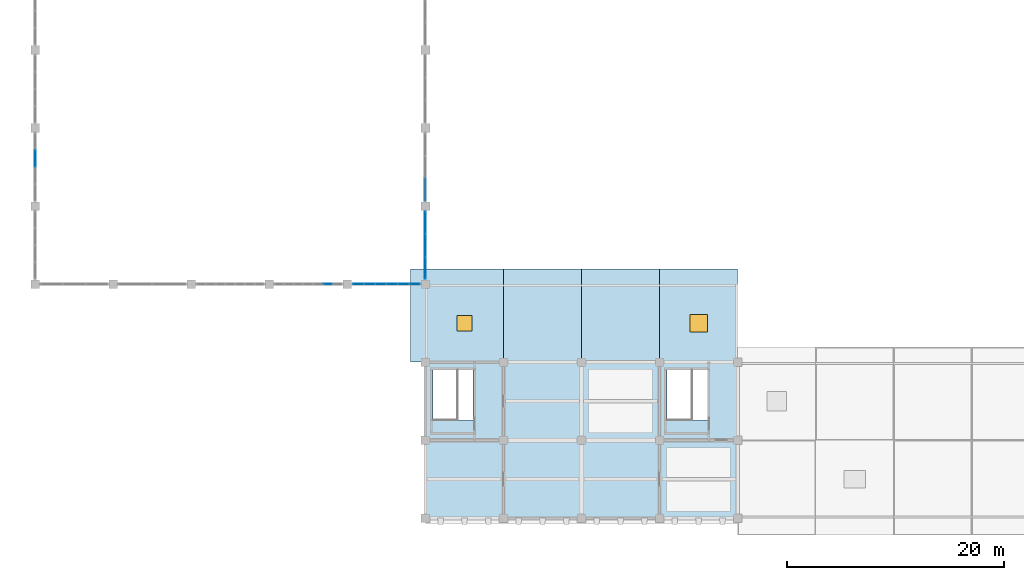
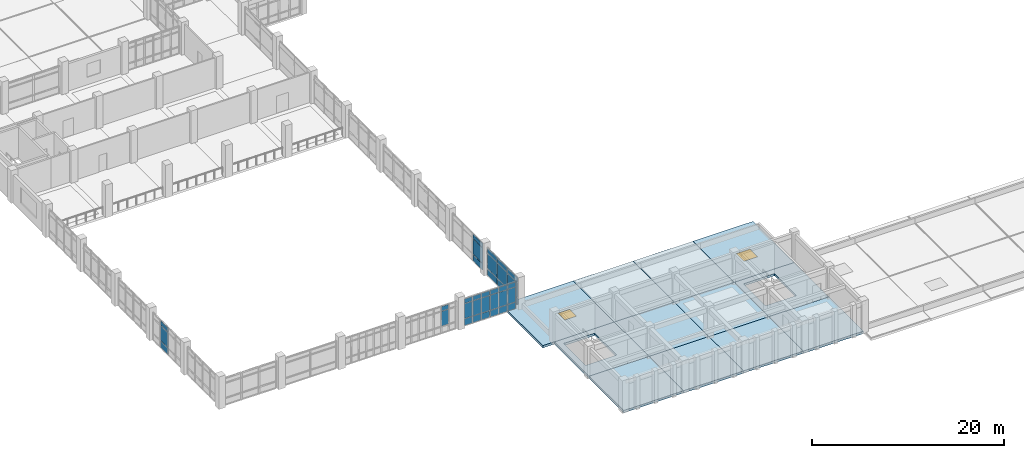
# One storey, part 32 of 62: 35 plates, 12 slabs, 2 windows, 2 openings, 5 elements without a shape of their own.
"""IFC4 building model written with IfcOpenShell, lengths in metres."""

from ifc_helpers import new_model, si_unit, direction, frame, origin, origin_2d, place, context, subcontext, project, spatial, polyline, rectangle, outline, extrude, material, layer, layer_set, type_object, element, fill, aggregate, save


model = new_model("IFC4")

# Units and contexts
model_context = context("Model", 3, precision=1e-05, world=origin(), true_north=direction((0.0, 1.0)))
body_context = subcontext(model_context, "Body", "Model", "MODEL_VIEW")
ifc_project = project(units=[si_unit("LENGTHUNIT", "METRE"), si_unit("AREAUNIT", "SQUARE_METRE"), si_unit("VOLUMEUNIT", "CUBIC_METRE"), si_unit("PLANEANGLEUNIT", "RADIAN"), si_unit("MASSUNIT", "GRAM", prefix="KILO")], contexts=[model_context])

# Site, building, storey
site_placement = place(None, origin())
site = spatial("IfcSite", under=ifc_project, at=site_placement, CompositionType="ELEMENT")
building_placement = place(site_placement, origin())
building = spatial("IfcBuilding", under=site, at=building_placement, Name="Kavelor Marine Aquarium", CompositionType="ELEMENT")
storey_placement = place(building_placement, frame((0.0, 0.0, 13.5)))
storey = spatial("IfcBuildingStorey", under=building, at=storey_placement, Name="L03", CompositionType="ELEMENT", Elevation=13.5)

# Curtain wall, plates
ifc_material_1 = material(Name="Thermally Broken Aluminium and Low-E Glass", Category="aluminium")
ifc_layer_1 = layer(ifc_material_1, 0.156005859375)
ifc_layer_set_1 = layer_set([ifc_layer_1], Name="CW-SYS2")
curtain_wall_type_1 = type_object("IfcCurtainWallType", Name="CW-SYS2", PredefinedType="USERDEFINED", material=ifc_layer_set_1)
curtain_wall_1_placement = place(storey_placement, origin())
curtain_wall_1 = element("IfcCurtainWall", 1, at=curtain_wall_1_placement, inside=storey, type_object=curtain_wall_type_1, Name="cw:x:L03:03_03", ObjectType="Curtain Wall", PredefinedType="USERDEFINED")
ifc_material_2 = material(Name="Solar-Control Double Low-E Glazing", Category="glass")
ifc_layer_2 = layer(ifc_material_2, 0.052001953125)
ifc_layer_set_2 = layer_set([ifc_layer_2], Name="CWP-14")
plate_type_1 = type_object("IfcPlateType", Name="CWP-14", PredefinedType="CURTAIN_PANEL", material=ifc_layer_set_2)
plate_1_placement = place(storey_placement, frame((30.202880859375, 24.39990234375, 0.9326171875), z_axis=(0.0, 0.0, 1.0), x_axis=(-1.0, 0.0, 0.0)))
plate_1 = element("IfcPlate", 2, at=plate_1_placement, type_object=plate_type_1, Name="CW02 panel 2.2", PredefinedType="CURTAIN_PANEL", context=body_context, shape_type="SweptSolid", body=[
    extrude(rectangle(XDim=0.83642578125, YDim=0.052001953125, at=origin_2d()), origin(), (0.0, 0.0, 1.0), 1.864990234375),
])
plate_2_placement = place(storey_placement, frame((30.202880859375, 24.39990234375, 2.8623046875), z_axis=(0.0, 0.0, 1.0), x_axis=(-1.0, 0.0, 0.0)))
plate_2 = element("IfcPlate", 3, at=plate_2_placement, type_object=plate_type_1, Name="CW02 panel 2.3", PredefinedType="CURTAIN_PANEL", context=body_context, shape_type="SweptSolid", body=[
    extrude(rectangle(XDim=0.83642578125, YDim=0.052001953125, at=origin_2d()), origin(), (0.0, 0.0, 1.0), 0.552490234375),
])
aggregate(curtain_wall_1, [plate_1, plate_2])

ifc_material_3 = material(Name="Thermally Broken Aluminium and Low-E Glass", Category="aluminium")
ifc_layer_3 = layer(ifc_material_3, 0.172119140625)
ifc_layer_set_3 = layer_set([ifc_layer_3], Name="CW-SYS4")
curtain_wall_type_2 = type_object("IfcCurtainWallType", Name="CW-SYS4", PredefinedType="USERDEFINED", material=ifc_layer_set_3)
curtain_wall_2_placement = place(storey_placement, origin())
curtain_wall_2 = element("IfcCurtainWall", 4, at=curtain_wall_2_placement, inside=storey, type_object=curtain_wall_type_2, Name="cw:x:L03:04_03", ObjectType="Curtain Wall", PredefinedType="USERDEFINED")
ifc_material_4 = material(Name="Solar-Control Double Low-E Glazing", Category="glass")
ifc_layer_4 = layer(ifc_material_4, 0.055908203125)
ifc_layer_set_4 = layer_set([ifc_layer_4], Name="CWP-16")
plate_type_2 = type_object("IfcPlateType", Name="CWP-16", PredefinedType="CURTAIN_PANEL", material=ifc_layer_set_4)
plate_3_placement = place(storey_placement, frame((38.21044921875, 24.39990234375, 0.06005859375), z_axis=(0.0, 0.0, 1.0), x_axis=(-1.0, 0.0, 0.0)))
plate_3 = element("IfcPlate", 5, at=plate_3_placement, type_object=plate_type_2, Name="CW04 panel 1.1", PredefinedType="CURTAIN_PANEL", context=body_context, shape_type="SweptSolid", body=[
    extrude(rectangle(XDim=0.939208984375, YDim=0.055908203125, at=origin_2d()), origin(), (0.0, 0.0, 1.0), 0.81005859375),
])
plate_4_placement = place(storey_placement, frame((38.21044921875, 24.39990234375, 0.929931640625), z_axis=(0.0, 0.0, 1.0), x_axis=(-1.0, 0.0, 0.0)))
plate_4 = element("IfcPlate", 6, at=plate_4_placement, type_object=plate_type_2, Name="CW04 panel 1.2", PredefinedType="CURTAIN_PANEL", context=body_context, shape_type="SweptSolid", body=[
    extrude(rectangle(XDim=0.939208984375, YDim=0.055908203125, at=origin_2d()), origin(), (0.0, 0.0, 1.0), 1.8701171875),
])
plate_5_placement = place(storey_placement, frame((38.21044921875, 24.39990234375, 2.85986328125), z_axis=(0.0, 0.0, 1.0), x_axis=(-1.0, 0.0, 0.0)))
plate_5 = element("IfcPlate", 7, at=plate_5_placement, type_object=plate_type_2, Name="CW04 panel 1.3", PredefinedType="CURTAIN_PANEL", context=body_context, shape_type="SweptSolid", body=[
    extrude(rectangle(XDim=0.939208984375, YDim=0.055908203125, at=origin_2d()), origin(), (0.0, 0.0, 1.0), 0.56005859375),
])
plate_6_placement = place(storey_placement, frame((37.177490234375, 24.39990234375, 0.06005859375), z_axis=(0.0, 0.0, 1.0), x_axis=(-1.0, 0.0, 0.0)))
plate_6 = element("IfcPlate", 8, at=plate_6_placement, type_object=plate_type_2, Name="CW04 panel 2.1", PredefinedType="CURTAIN_PANEL", context=body_context, shape_type="SweptSolid", body=[
    extrude(rectangle(XDim=0.9765625, YDim=0.055908203125, at=origin_2d()), origin(), (0.0, 0.0, 1.0), 0.81005859375),
])
plate_7_placement = place(storey_placement, frame((37.177490234375, 24.39990234375, 0.929931640625), z_axis=(0.0, 0.0, 1.0), x_axis=(-1.0, 0.0, 0.0)))
plate_7 = element("IfcPlate", 9, at=plate_7_placement, type_object=plate_type_2, Name="CW04 panel 2.2", PredefinedType="CURTAIN_PANEL", context=body_context, shape_type="SweptSolid", body=[
    extrude(rectangle(XDim=0.9765625, YDim=0.055908203125, at=origin_2d()), origin(), (0.0, 0.0, 1.0), 1.8701171875),
])
plate_8_placement = place(storey_placement, frame((37.177490234375, 24.39990234375, 2.85986328125), z_axis=(0.0, 0.0, 1.0), x_axis=(-1.0, 0.0, 0.0)))
plate_8 = element("IfcPlate", 10, at=plate_8_placement, type_object=plate_type_2, Name="CW04 panel 2.3", PredefinedType="CURTAIN_PANEL", context=body_context, shape_type="SweptSolid", body=[
    extrude(rectangle(XDim=0.9765625, YDim=0.055908203125, at=origin_2d()), origin(), (0.0, 0.0, 1.0), 0.56005859375),
])
plate_9_placement = place(storey_placement, frame((36.125732421875, 24.39990234375, 0.06005859375), z_axis=(0.0, 0.0, 1.0), x_axis=(-1.0, 0.0, 0.0)))
plate_9 = element("IfcPlate", 11, at=plate_9_placement, type_object=plate_type_2, Name="CW04 panel 3.1", PredefinedType="CURTAIN_PANEL", context=body_context, shape_type="SweptSolid", body=[
    extrude(rectangle(XDim=0.9765625, YDim=0.055908203125, at=origin_2d()), origin(), (0.0, 0.0, 1.0), 0.81005859375),
])
plate_10_placement = place(storey_placement, frame((36.125732421875, 24.39990234375, 0.929931640625), z_axis=(0.0, 0.0, 1.0), x_axis=(-1.0, 0.0, 0.0)))
plate_10 = element("IfcPlate", 12, at=plate_10_placement, type_object=plate_type_2, Name="CW04 panel 3.2", PredefinedType="CURTAIN_PANEL", context=body_context, shape_type="SweptSolid", body=[
    extrude(rectangle(XDim=0.9765625, YDim=0.055908203125, at=origin_2d()), origin(), (0.0, 0.0, 1.0), 1.8701171875),
])
plate_11_placement = place(storey_placement, frame((36.125732421875, 24.39990234375, 2.85986328125), z_axis=(0.0, 0.0, 1.0), x_axis=(-1.0, 0.0, 0.0)))
plate_11 = element("IfcPlate", 13, at=plate_11_placement, type_object=plate_type_2, Name="CW04 panel 3.3", PredefinedType="CURTAIN_PANEL", context=body_context, shape_type="SweptSolid", body=[
    extrude(rectangle(XDim=0.9765625, YDim=0.055908203125, at=origin_2d()), origin(), (0.0, 0.0, 1.0), 0.56005859375),
])
plate_12_placement = place(storey_placement, frame((35.07421875, 24.39990234375, 0.06005859375), z_axis=(0.0, 0.0, 1.0), x_axis=(-1.0, 0.0, 0.0)))
plate_12 = element("IfcPlate", 14, at=plate_12_placement, type_object=plate_type_2, Name="CW04 panel 4.1", PredefinedType="CURTAIN_PANEL", context=body_context, shape_type="SweptSolid", body=[
    extrude(rectangle(XDim=0.9765625, YDim=0.055908203125, at=origin_2d()), origin(), (0.0, 0.0, 1.0), 0.81005859375),
])
plate_13_placement = place(storey_placement, frame((35.07421875, 24.39990234375, 0.929931640625), z_axis=(0.0, 0.0, 1.0), x_axis=(-1.0, 0.0, 0.0)))
plate_13 = element("IfcPlate", 15, at=plate_13_placement, type_object=plate_type_2, Name="CW04 panel 4.2", PredefinedType="CURTAIN_PANEL", context=body_context, shape_type="SweptSolid", body=[
    extrude(rectangle(XDim=0.9765625, YDim=0.055908203125, at=origin_2d()), origin(), (0.0, 0.0, 1.0), 1.8701171875),
])
plate_14_placement = place(storey_placement, frame((35.07421875, 24.39990234375, 2.85986328125), z_axis=(0.0, 0.0, 1.0), x_axis=(-1.0, 0.0, 0.0)))
plate_14 = element("IfcPlate", 16, at=plate_14_placement, type_object=plate_type_2, Name="CW04 panel 4.3", PredefinedType="CURTAIN_PANEL", context=body_context, shape_type="SweptSolid", body=[
    extrude(rectangle(XDim=0.9765625, YDim=0.055908203125, at=origin_2d()), origin(), (0.0, 0.0, 1.0), 0.56005859375),
])
plate_15_placement = place(storey_placement, frame((34.0224609375, 24.39990234375, 0.06005859375), z_axis=(0.0, 0.0, 1.0), x_axis=(-1.0, 0.0, 0.0)))
plate_15 = element("IfcPlate", 17, at=plate_15_placement, type_object=plate_type_2, Name="CW04 panel 5.1", PredefinedType="CURTAIN_PANEL", context=body_context, shape_type="SweptSolid", body=[
    extrude(rectangle(XDim=0.9765625, YDim=0.055908203125, at=origin_2d()), origin(), (0.0, 0.0, 1.0), 0.81005859375),
])
plate_16_placement = place(storey_placement, frame((34.0224609375, 24.39990234375, 0.929931640625), z_axis=(0.0, 0.0, 1.0), x_axis=(-1.0, 0.0, 0.0)))
plate_16 = element("IfcPlate", 18, at=plate_16_placement, type_object=plate_type_2, Name="CW04 panel 5.2", PredefinedType="CURTAIN_PANEL", context=body_context, shape_type="SweptSolid", body=[
    extrude(rectangle(XDim=0.9765625, YDim=0.055908203125, at=origin_2d()), origin(), (0.0, 0.0, 1.0), 1.8701171875),
])
plate_17_placement = place(storey_placement, frame((34.0224609375, 24.39990234375, 2.85986328125), z_axis=(0.0, 0.0, 1.0), x_axis=(-1.0, 0.0, 0.0)))
plate_17 = element("IfcPlate", 19, at=plate_17_placement, type_object=plate_type_2, Name="CW04 panel 5.3", PredefinedType="CURTAIN_PANEL", context=body_context, shape_type="SweptSolid", body=[
    extrude(rectangle(XDim=0.9765625, YDim=0.055908203125, at=origin_2d()), origin(), (0.0, 0.0, 1.0), 0.56005859375),
])
plate_18_placement = place(storey_placement, frame((32.989501953125, 24.39990234375, 0.06005859375), z_axis=(0.0, 0.0, 1.0), x_axis=(-1.0, 0.0, 0.0)))
plate_18 = element("IfcPlate", 20, at=plate_18_placement, type_object=plate_type_2, Name="CW04 panel 6.1", PredefinedType="CURTAIN_PANEL", context=body_context, shape_type="SweptSolid", body=[
    extrude(rectangle(XDim=0.939208984375, YDim=0.055908203125, at=origin_2d()), origin(), (0.0, 0.0, 1.0), 0.81005859375),
])
plate_19_placement = place(storey_placement, frame((32.989501953125, 24.39990234375, 0.929931640625), z_axis=(0.0, 0.0, 1.0), x_axis=(-1.0, 0.0, 0.0)))
plate_19 = element("IfcPlate", 21, at=plate_19_placement, type_object=plate_type_2, Name="CW04 panel 6.2", PredefinedType="CURTAIN_PANEL", context=body_context, shape_type="SweptSolid", body=[
    extrude(rectangle(XDim=0.939208984375, YDim=0.055908203125, at=origin_2d()), origin(), (0.0, 0.0, 1.0), 1.8701171875),
])
plate_20_placement = place(storey_placement, frame((32.989501953125, 24.39990234375, 2.85986328125), z_axis=(0.0, 0.0, 1.0), x_axis=(-1.0, 0.0, 0.0)))
plate_20 = element("IfcPlate", 22, at=plate_20_placement, type_object=plate_type_2, Name="CW04 panel 6.3", PredefinedType="CURTAIN_PANEL", context=body_context, shape_type="SweptSolid", body=[
    extrude(rectangle(XDim=0.939208984375, YDim=0.055908203125, at=origin_2d()), origin(), (0.0, 0.0, 1.0), 0.56005859375),
])
aggregate(curtain_wall_2, [plate_3, plate_4, plate_5, plate_6, plate_7, plate_8, plate_9, plate_10, plate_11, plate_12, plate_13, plate_14, plate_15, plate_16, plate_17, plate_18, plate_19, plate_20])

ifc_material_5 = material(Name="Thermally Broken Aluminium and Low-E Glass", Category="aluminium")
ifc_layer_5 = layer(ifc_material_5, 0.236083984375)
ifc_layer_set_5 = layer_set([ifc_layer_5], Name="CW-SYS12")
curtain_wall_type_3 = type_object("IfcCurtainWallType", Name="CW-SYS12", PredefinedType="USERDEFINED", material=ifc_layer_set_5)
curtain_wall_3_placement = place(storey_placement, origin())
curtain_wall_3 = element("IfcCurtainWall", 23, at=curtain_wall_3_placement, inside=storey, type_object=curtain_wall_type_3, Name="cw:y:L03:00_04", ObjectType="Curtain Wall", PredefinedType="USERDEFINED")
ifc_material_6 = material(Name="Solar-Control Double Low-E Glazing", Category="glass")
ifc_layer_6 = layer(ifc_material_6, 0.072021484375)
ifc_layer_set_6 = layer_set([ifc_layer_6], Name="CWP-24")
plate_type_3 = type_object("IfcPlateType", Name="CWP-24", PredefinedType="CURTAIN_PANEL", material=ifc_layer_set_6)
plate_21_placement = place(storey_placement, frame((3.199951171875, 35.98876953125, 0.074951171875), z_axis=(0.0, 0.0, 1.0), x_axis=(0.0, -1.0, 0.0)))
plate_21 = element("IfcPlate", 24, at=plate_21_placement, type_object=plate_type_3, Name="CW12 panel 2.1", PredefinedType="CURTAIN_PANEL", context=body_context, shape_type="SweptSolid", body=[
    extrude(rectangle(XDim=1.517578125, YDim=0.072021484375, at=origin_2d()), origin(), (0.0, 0.0, 1.0), 0.78759765625),
])
plate_22_placement = place(storey_placement, frame((3.199951171875, 35.98876953125, 0.9375), z_axis=(0.0, 0.0, 1.0), x_axis=(0.0, -1.0, 0.0)))
plate_22 = element("IfcPlate", 25, at=plate_22_placement, type_object=plate_type_3, Name="CW12 panel 2.2", PredefinedType="CURTAIN_PANEL", context=body_context, shape_type="SweptSolid", body=[
    extrude(rectangle(XDim=1.517578125, YDim=0.072021484375, at=origin_2d()), origin(), (0.0, 0.0, 1.0), 1.905029296875),
])
plate_23_placement = place(storey_placement, frame((3.199951171875, 35.98876953125, 2.91748046875), z_axis=(0.0, 0.0, 1.0), x_axis=(0.0, -1.0, 0.0)))
plate_23 = element("IfcPlate", 26, at=plate_23_placement, type_object=plate_type_3, Name="CW12 panel 2.3", PredefinedType="CURTAIN_PANEL", context=body_context, shape_type="SweptSolid", body=[
    extrude(rectangle(XDim=1.517578125, YDim=0.072021484375, at=origin_2d()), origin(), (0.0, 0.0, 1.0), 0.53759765625),
])
aggregate(curtain_wall_3, [plate_21, plate_22, plate_23])

ifc_material_7 = material(Name="Thermally Broken Aluminium and Low-E Glass", Category="aluminium")
ifc_layer_7 = layer(ifc_material_7, 0.27587890625)
ifc_layer_set_7 = layer_set([ifc_layer_7], Name="CW-SYS17")
curtain_wall_type_4 = type_object("IfcCurtainWallType", Name="CW-SYS17", PredefinedType="USERDEFINED", material=ifc_layer_set_7)
curtain_wall_4_placement = place(storey_placement, origin())
curtain_wall_4 = element("IfcCurtainWall", 27, at=curtain_wall_4_placement, inside=storey, type_object=curtain_wall_type_4, Name="cw:y:L03:05_03", ObjectType="Curtain Wall", PredefinedType="USERDEFINED")
ifc_material_8 = material(Name="Solar-Control Double Low-E Glazing", Category="glass")
ifc_layer_8 = layer(ifc_material_8, 0.08203125)
ifc_layer_set_8 = layer_set([ifc_layer_8], Name="CWP-29")
plate_type_4 = type_object("IfcPlateType", Name="CWP-29", PredefinedType="CURTAIN_PANEL", material=ifc_layer_set_8)
plate_24_placement = place(storey_placement, frame((39.199951171875, 25.912841796875, 0.06005859375), z_axis=(0.0, 0.0, 1.0), x_axis=(0.0, 1.0, 0.0)))
plate_24 = element("IfcPlate", 28, at=plate_24_placement, type_object=plate_type_4, Name="CW17 panel 1.1", PredefinedType="CURTAIN_PANEL", context=body_context, shape_type="SweptSolid", body=[
    extrude(rectangle(XDim=2.005859375, YDim=0.08203125, at=origin_2d()), origin(), (0.0, 0.0, 1.0), 0.81005859375),
])
plate_25_placement = place(storey_placement, frame((39.199951171875, 25.912841796875, 0.929931640625), z_axis=(0.0, 0.0, 1.0), x_axis=(0.0, 1.0, 0.0)))
plate_25 = element("IfcPlate", 29, at=plate_25_placement, type_object=plate_type_4, Name="CW17 panel 1.2", PredefinedType="CURTAIN_PANEL", context=body_context, shape_type="SweptSolid", body=[
    extrude(rectangle(XDim=2.005859375, YDim=0.08203125, at=origin_2d()), origin(), (0.0, 0.0, 1.0), 1.919921875),
])
plate_26_placement = place(storey_placement, frame((39.199951171875, 25.912841796875, 2.909912109375), z_axis=(0.0, 0.0, 1.0), x_axis=(0.0, 1.0, 0.0)))
plate_26 = element("IfcPlate", 30, at=plate_26_placement, type_object=plate_type_4, Name="CW17 panel 1.3", PredefinedType="CURTAIN_PANEL", context=body_context, shape_type="SweptSolid", body=[
    extrude(rectangle(XDim=2.005859375, YDim=0.08203125, at=origin_2d()), origin(), (0.0, 0.0, 1.0), 0.56005859375),
])
plate_27_placement = place(storey_placement, frame((39.199951171875, 28.0, 0.06005859375), z_axis=(0.0, 0.0, 1.0), x_axis=(0.0, 1.0, 0.0)))
plate_27 = element("IfcPlate", 31, at=plate_27_placement, type_object=plate_type_4, Name="CW17 panel 2.1", PredefinedType="CURTAIN_PANEL", context=body_context, shape_type="SweptSolid", body=[
    extrude(rectangle(XDim=2.038330078125, YDim=0.08203125, at=origin_2d()), origin(), (0.0, 0.0, 1.0), 0.81005859375),
])
plate_28_placement = place(storey_placement, frame((39.199951171875, 28.0, 0.929931640625), z_axis=(0.0, 0.0, 1.0), x_axis=(0.0, 1.0, 0.0)))
plate_28 = element("IfcPlate", 32, at=plate_28_placement, type_object=plate_type_4, Name="CW17 panel 2.2", PredefinedType="CURTAIN_PANEL", context=body_context, shape_type="SweptSolid", body=[
    extrude(rectangle(XDim=2.038330078125, YDim=0.08203125, at=origin_2d()), origin(), (0.0, 0.0, 1.0), 1.919921875),
])
plate_29_placement = place(storey_placement, frame((39.199951171875, 28.0, 2.909912109375), z_axis=(0.0, 0.0, 1.0), x_axis=(0.0, 1.0, 0.0)))
plate_29 = element("IfcPlate", 33, at=plate_29_placement, type_object=plate_type_4, Name="CW17 panel 2.3", PredefinedType="CURTAIN_PANEL", context=body_context, shape_type="SweptSolid", body=[
    extrude(rectangle(XDim=2.038330078125, YDim=0.08203125, at=origin_2d()), origin(), (0.0, 0.0, 1.0), 0.56005859375),
])
plate_30_placement = place(storey_placement, frame((39.199951171875, 30.087158203125, 0.06005859375), z_axis=(0.0, 0.0, 1.0), x_axis=(0.0, 1.0, 0.0)))
plate_30 = element("IfcPlate", 34, at=plate_30_placement, type_object=plate_type_4, Name="CW17 panel 3.1", PredefinedType="CURTAIN_PANEL", context=body_context, shape_type="SweptSolid", body=[
    extrude(rectangle(XDim=2.005859375, YDim=0.08203125, at=origin_2d()), origin(), (0.0, 0.0, 1.0), 0.81005859375),
])
plate_31_placement = place(storey_placement, frame((39.199951171875, 30.087158203125, 0.929931640625), z_axis=(0.0, 0.0, 1.0), x_axis=(0.0, 1.0, 0.0)))
plate_31 = element("IfcPlate", 35, at=plate_31_placement, type_object=plate_type_4, Name="CW17 panel 3.2", PredefinedType="CURTAIN_PANEL", context=body_context, shape_type="SweptSolid", body=[
    extrude(rectangle(XDim=2.005859375, YDim=0.08203125, at=origin_2d()), origin(), (0.0, 0.0, 1.0), 1.919921875),
])
plate_32_placement = place(storey_placement, frame((39.199951171875, 30.087158203125, 2.909912109375), z_axis=(0.0, 0.0, 1.0), x_axis=(0.0, 1.0, 0.0)))
plate_32 = element("IfcPlate", 36, at=plate_32_placement, type_object=plate_type_4, Name="CW17 panel 3.3", PredefinedType="CURTAIN_PANEL", context=body_context, shape_type="SweptSolid", body=[
    extrude(rectangle(XDim=2.005859375, YDim=0.08203125, at=origin_2d()), origin(), (0.0, 0.0, 1.0), 0.56005859375),
])
aggregate(curtain_wall_4, [plate_24, plate_25, plate_26, plate_27, plate_28, plate_29, plate_30, plate_31, plate_32])

ifc_material_9 = material(Name="Thermally Broken Aluminium and Low-E Glass", Category="aluminium")
ifc_layer_9 = layer(ifc_material_9, 0.283935546875)
ifc_layer_set_9 = layer_set([ifc_layer_9], Name="CW-SYS18")
curtain_wall_type_5 = type_object("IfcCurtainWallType", Name="CW-SYS18", PredefinedType="USERDEFINED", material=ifc_layer_set_9)
curtain_wall_5_placement = place(storey_placement, origin())
curtain_wall_5 = element("IfcCurtainWall", 37, at=curtain_wall_5_placement, inside=storey, type_object=curtain_wall_type_5, Name="cw:y:L03:05_04", ObjectType="Curtain Wall", PredefinedType="USERDEFINED")
ifc_material_10 = material(Name="Solar-Control Double Low-E Glazing", Category="glass")
ifc_layer_10 = layer(ifc_material_10, 0.083984375)
ifc_layer_set_10 = layer_set([ifc_layer_10], Name="CWP-30")
plate_type_5 = type_object("IfcPlateType", Name="CWP-30", PredefinedType="CURTAIN_PANEL", material=ifc_layer_set_10)
plate_33_placement = place(storey_placement, frame((39.199951171875, 33.111572265625, 0.074951171875), z_axis=(0.0, 0.0, 1.0), x_axis=(0.0, 1.0, 0.0)))
plate_33 = element("IfcPlate", 38, at=plate_33_placement, type_object=plate_type_5, Name="CW18 panel 1.1", PredefinedType="CURTAIN_PANEL", context=body_context, shape_type="SweptSolid", body=[
    extrude(rectangle(XDim=2.013427734375, YDim=0.083984375, at=origin_2d()), origin(), (0.0, 0.0, 1.0), 0.78759765625),
])
plate_34_placement = place(storey_placement, frame((39.199951171875, 33.111572265625, 0.9375), z_axis=(0.0, 0.0, 1.0), x_axis=(0.0, 1.0, 0.0)))
plate_34 = element("IfcPlate", 39, at=plate_34_placement, type_object=plate_type_5, Name="CW18 panel 1.2", PredefinedType="CURTAIN_PANEL", context=body_context, shape_type="SweptSolid", body=[
    extrude(rectangle(XDim=2.013427734375, YDim=0.083984375, at=origin_2d()), origin(), (0.0, 0.0, 1.0), 1.905029296875),
])
plate_35_placement = place(storey_placement, frame((39.199951171875, 33.111572265625, 2.91748046875), z_axis=(0.0, 0.0, 1.0), x_axis=(0.0, 1.0, 0.0)))
plate_35 = element("IfcPlate", 40, at=plate_35_placement, type_object=plate_type_5, Name="CW18 panel 1.3", PredefinedType="CURTAIN_PANEL", context=body_context, shape_type="SweptSolid", body=[
    extrude(rectangle(XDim=2.013427734375, YDim=0.083984375, at=origin_2d()), origin(), (0.0, 0.0, 1.0), 0.53759765625),
])
aggregate(curtain_wall_5, [plate_33, plate_34, plate_35])

# Slabs
ifc_material_11 = material(Name="Concrete C40/50", Category="concrete")
ifc_layer_11 = layer(ifc_material_11, 0.300048828125)
ifc_layer_set_11 = layer_set([ifc_layer_11], Name="SL-FL1")
slab_type_1 = type_object("IfcSlabType", Name="SL-FL1", PredefinedType="FLOOR", material=ifc_layer_set_11)
slab_1_placement = place(storey_placement, frame((0.0, 0.0, -0.300048828125)))
element("IfcSlab", 41, at=slab_1_placement, inside=storey, type_object=slab_type_1, Name="slab:L03:05_01", PredefinedType="FLOOR", context=body_context, shape_type="SweptSolid", body=[
    extrude(outline(polyline([(39.199951171875, 10.0), (46.39990234375, 10.0), (46.39990234375, 17.199951171875), (39.199951171875, 17.199951171875), (39.199951171875, 10.0)]), holes=[polyline([(39.8798828125, 11.883056640625), (43.60009765625, 11.883056640625), (43.60009765625, 16.469970703125), (39.8798828125, 16.469970703125), (39.8798828125, 11.883056640625)])]), origin(), (0.0, 0.0, 1.0), 0.300048828125),
])
slab_2_placement = place(storey_placement, frame((0.0, 0.0, -0.300048828125)))
element("IfcSlab", 42, at=slab_2_placement, inside=storey, type_object=slab_type_1, Name="slab:L03:06_00", PredefinedType="FLOOR", context=body_context, shape_type="SweptSolid", body=[
    extrude(outline(polyline([(46.39990234375, 2.800048828125), (53.60009765625, 2.800048828125), (53.60009765625, 10.0), (46.39990234375, 10.0), (46.39990234375, 2.800048828125)])), origin(), (0.0, 0.0, 1.0), 0.300048828125),
])
slab_3_placement = place(storey_placement, frame((0.0, 0.0, -0.300048828125)))
element("IfcSlab", 43, at=slab_3_placement, inside=storey, type_object=slab_type_1, Name="slab:L03:07_01", PredefinedType="FLOOR", context=body_context, shape_type="SweptSolid", body=[
    extrude(outline(polyline([(53.60009765625, 10.0), (60.800048828125, 10.0), (60.800048828125, 17.199951171875), (53.60009765625, 17.199951171875), (53.60009765625, 10.0)])), origin(), (0.0, 0.0, 1.0), 0.300048828125),
])
slab_4_placement = place(storey_placement, frame((0.0, 0.0, -0.300048828125)))
element("IfcSlab", 44, at=slab_4_placement, inside=storey, type_object=slab_type_1, Name="slab:L03:08_00", PredefinedType="FLOOR", context=body_context, shape_type="SweptSolid", body=[
    extrude(outline(polyline([(60.800048828125, 2.800048828125), (68.0, 2.800048828125), (68.0, 10.0), (60.800048828125, 10.0), (60.800048828125, 2.800048828125)])), origin(), (0.0, 0.0, 1.0), 0.300048828125),
])
ifc_material_12 = material(Name="Concrete C40/50", Category="concrete")
ifc_layer_12 = layer(ifc_material_12, 0.280029296875)
ifc_layer_set_12 = layer_set([ifc_layer_12], Name="SL-FL2")
slab_type_2 = type_object("IfcSlabType", Name="SL-FL2", PredefinedType="FLOOR", material=ifc_layer_set_12)
slab_5_placement = place(storey_placement, frame((0.0, 0.0, -0.280029296875)))
element("IfcSlab", 45, at=slab_5_placement, inside=storey, type_object=slab_type_2, Name="slab:L03:05_00", PredefinedType="FLOOR", context=body_context, shape_type="SweptSolid", body=[
    extrude(outline(polyline([(39.199951171875, 2.800048828125), (46.39990234375, 2.800048828125), (46.39990234375, 10.0), (39.199951171875, 10.0), (39.199951171875, 2.800048828125)])), origin(), (0.0, 0.0, 1.0), 0.280029296875),
])
slab_6_placement = place(storey_placement, frame((0.0, 0.0, -0.280029296875)))
element("IfcSlab", 46, at=slab_6_placement, inside=storey, type_object=slab_type_2, Name="slab:L03:06_01", PredefinedType="FLOOR", context=body_context, shape_type="SweptSolid", body=[
    extrude(outline(polyline([(46.39990234375, 10.0), (53.60009765625, 10.0), (53.60009765625, 17.199951171875), (46.39990234375, 17.199951171875), (46.39990234375, 10.0)])), origin(), (0.0, 0.0, 1.0), 0.280029296875),
])
slab_7_placement = place(storey_placement, frame((0.0, 0.0, -0.280029296875)))
element("IfcSlab", 47, at=slab_7_placement, inside=storey, type_object=slab_type_2, Name="slab:L03:07_00", PredefinedType="FLOOR", context=body_context, shape_type="SweptSolid", body=[
    extrude(outline(polyline([(53.60009765625, 2.800048828125), (60.800048828125, 2.800048828125), (60.800048828125, 10.0), (53.60009765625, 10.0), (53.60009765625, 2.800048828125)])), origin(), (0.0, 0.0, 1.0), 0.280029296875),
])
slab_8_placement = place(storey_placement, frame((0.0, 0.0, -0.280029296875)))
element("IfcSlab", 48, at=slab_8_placement, inside=storey, type_object=slab_type_2, Name="slab:L03:08_01", PredefinedType="FLOOR", context=body_context, shape_type="SweptSolid", body=[
    extrude(outline(polyline([(60.800048828125, 10.0), (68.0, 10.0), (68.0, 17.199951171875), (60.800048828125, 17.199951171875), (60.800048828125, 10.0)]), holes=[polyline([(61.47998046875, 11.883056640625), (65.199951171875, 11.883056640625), (65.199951171875, 16.469970703125), (61.47998046875, 16.469970703125), (61.47998046875, 11.883056640625)])]), origin(), (0.0, 0.0, 1.0), 0.280029296875),
])

# Slab, opening, window
ifc_material_13 = material(Name="Concrete C40/50", Category="concrete")
ifc_layer_13 = layer(ifc_material_13, 0.280029296875)
ifc_layer_set_13 = layer_set([ifc_layer_13], Name="SL-RF1")
slab_type_3 = type_object("IfcSlabType", Name="SL-RF1", PredefinedType="ROOF", material=ifc_layer_set_13)
slab_9_placement = place(storey_placement, frame((0.0, 0.0, -0.280029296875)))
slab_9 = element("IfcSlab", 49, at=slab_9_placement, inside=storey, type_object=slab_type_3, Name="roof:L03:05_02", PredefinedType="ROOF", context=body_context, shape_type="SweptSolid", body=[
    extrude(outline(polyline([(37.800048828125, 17.199951171875), (46.39990234375, 17.199951171875), (46.39990234375, 25.800048828125), (37.800048828125, 25.800048828125), (37.800048828125, 17.199951171875)])), origin(), (0.0, 0.0, 1.0), 0.280029296875),
])
opening_1_placement = place(slab_9_placement, frame((42.800048828125, 20.800048828125, 0.0)))
opening_1 = element("IfcOpeningElement", 50, at=opening_1_placement, cuts=slab_9, Name="Opening SK1", PredefinedType="OPENING", context=body_context, shape_type="SweptSolid", body=[
    extrude(rectangle(XDim=1.39990234375, YDim=1.39990234375, at=origin_2d()), origin(), (0.0, 0.0, 1.0), 0.280029296875),
])
ifc_material_14 = material(Name="Thermally Broken Aluminium Roof Skylight", Category="aluminium")
window_type_1 = type_object("IfcWindowType", Name="SKY-SK1", PartitioningType="SINGLE_PANEL", PredefinedType="SKYLIGHT", material=ifc_material_14)
window_1_placement = place(opening_1_placement, frame((0.0, 0.0, 0.22998046875)))
window_1 = element("IfcWindow", 51, at=window_1_placement, inside=storey, type_object=window_type_1, Name="sky:L03:05_02", OverallHeight=1.39990234375, OverallWidth=1.39990234375, PartitioningType="SINGLE_PANEL", PredefinedType="SKYLIGHT", context=body_context, shape_type="SweptSolid", body=[
    extrude(rectangle(XDim=1.39990234375, YDim=1.39990234375, at=origin_2d()), origin(), (0.0, 0.0, 1.0), 0.050048828125),
])
fill(opening_1, window_1)

# Slabs
slab_10_placement = place(storey_placement, frame((0.0, 0.0, -0.280029296875)))
element("IfcSlab", 52, at=slab_10_placement, inside=storey, type_object=slab_type_3, Name="roof:L03:06_02", PredefinedType="ROOF", context=body_context, shape_type="SweptSolid", body=[
    extrude(outline(polyline([(46.39990234375, 17.199951171875), (53.60009765625, 17.199951171875), (53.60009765625, 25.800048828125), (46.39990234375, 25.800048828125), (46.39990234375, 17.199951171875)])), origin(), (0.0, 0.0, 1.0), 0.280029296875),
])
slab_11_placement = place(storey_placement, frame((0.0, 0.0, -0.280029296875)))
element("IfcSlab", 53, at=slab_11_placement, inside=storey, type_object=slab_type_3, Name="roof:L03:07_02", PredefinedType="ROOF", context=body_context, shape_type="SweptSolid", body=[
    extrude(outline(polyline([(53.60009765625, 17.199951171875), (60.800048828125, 17.199951171875), (60.800048828125, 25.800048828125), (53.60009765625, 25.800048828125), (53.60009765625, 17.199951171875)])), origin(), (0.0, 0.0, 1.0), 0.280029296875),
])

# Slab, opening, window
slab_12_placement = place(storey_placement, frame((0.0, 0.0, -0.280029296875)))
slab_12 = element("IfcSlab", 54, at=slab_12_placement, inside=storey, type_object=slab_type_3, Name="roof:L03:08_02", PredefinedType="ROOF", context=body_context, shape_type="SweptSolid", body=[
    extrude(outline(polyline([(60.800048828125, 17.199951171875), (68.0, 17.199951171875), (68.0, 25.800048828125), (60.800048828125, 25.800048828125), (60.800048828125, 17.199951171875)])), origin(), (0.0, 0.0, 1.0), 0.280029296875),
])
opening_2_placement = place(slab_12_placement, frame((64.39990234375, 20.800048828125, 0.0)))
opening_2 = element("IfcOpeningElement", 55, at=opening_2_placement, cuts=slab_12, Name="Opening SK2", PredefinedType="OPENING", context=body_context, shape_type="SweptSolid", body=[
    extrude(rectangle(XDim=1.60009765625, YDim=1.60009765625, at=origin_2d()), origin(), (0.0, 0.0, 1.0), 0.280029296875),
])
ifc_material_15 = material(Name="Thermally Broken Aluminium Roof Skylight", Category="aluminium")
window_type_2 = type_object("IfcWindowType", Name="SKY-SK2", PartitioningType="SINGLE_PANEL", PredefinedType="SKYLIGHT", material=ifc_material_15)
window_2_placement = place(opening_2_placement, frame((0.0, 0.0, 0.22998046875)))
window_2 = element("IfcWindow", 56, at=window_2_placement, inside=storey, type_object=window_type_2, Name="sky:L03:08_02", OverallHeight=1.60009765625, OverallWidth=1.60009765625, PartitioningType="SINGLE_PANEL", PredefinedType="SKYLIGHT", context=body_context, shape_type="SweptSolid", body=[
    extrude(rectangle(XDim=1.60009765625, YDim=1.60009765625, at=origin_2d()), origin(), (0.0, 0.0, 1.0), 0.050048828125),
])
fill(opening_2, window_2)

save(model, "model.ifc")
